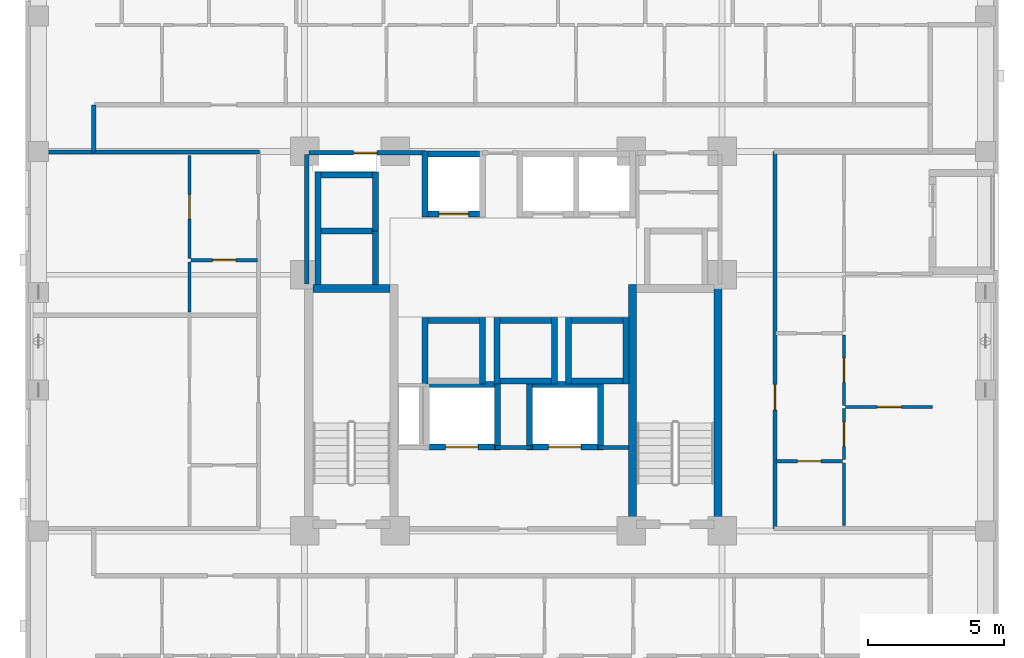
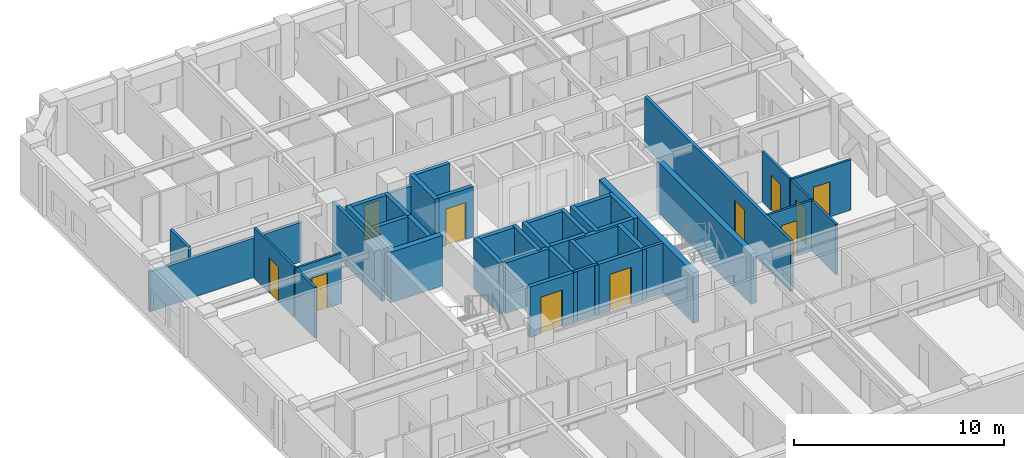
# One storey, part 5 of 13: 44 walls, 11 doors, 11 openings.
"""IFC4 building model written with IfcOpenShell, lengths in metres."""

from ifc_helpers import new_model, si_unit, derived_unit, direction, frame, frame_2d, origin, place, context, subcontext, project, spatial, rectangle, extrude, material, layer, layer_set, type_object, element, fill, save


model = new_model("IFC4")

# Units and contexts
model_context = context("Model", 3, precision=1e-05, world=origin(), true_north=direction((0.0, 1.0)))
body_context = subcontext(model_context, "Body", "Model", "MODEL_VIEW")
ifc_project = project(units=[si_unit("LENGTHUNIT", "METRE"), si_unit("AREAUNIT", "SQUARE_METRE"), si_unit("VOLUMEUNIT", "CUBIC_METRE"), si_unit("PLANEANGLEUNIT", "RADIAN"), si_unit("MASSUNIT", "GRAM", prefix="KILO"), derived_unit("THERMALTRANSMITTANCEUNIT", [(si_unit("MASSUNIT", "GRAM", prefix="KILO"), 1), (si_unit("TIMEUNIT", "SECOND"), -3), (si_unit("THERMODYNAMICTEMPERATUREUNIT", "KELVIN"), -1)])], contexts=[model_context])

# Site, building, storey
site_placement = place(None, origin())
site = spatial("IfcSite", under=ifc_project, at=site_placement, CompositionType="ELEMENT")
building_placement = place(site_placement, origin())
building = spatial("IfcBuilding", under=site, at=building_placement, Name="Korrvale Station Residences", CompositionType="ELEMENT")
storey_placement = place(building_placement, frame((0.0, 0.0, 100.699951171875)))
storey = spatial("IfcBuildingStorey", under=building, at=storey_placement, Name="L28", CompositionType="ELEMENT", Elevation=100.699951171875)

# Walls
ifc_material_1 = material(Name="Concrete C60/75", Category="concrete")
ifc_layer_1 = layer(ifc_material_1, 0.300048828125, Name="Concrete C60/75")
ifc_layer_set_1 = layer_set([ifc_layer_1], Name="Concrete C60/75")
wall_type_1 = type_object("IfcWallType", Name="WAL-CORE-300-C60", PredefinedType="SHEAR", material=ifc_layer_set_1)
wall_1_placement = place(storey_placement, frame((18.10009765625, 23.949951171875, 0.0), z_axis=(0.0, 0.0, 1.0), x_axis=(1.0, 0.0, 0.0)))
element("IfcWall", 1, at=wall_1_placement, inside=storey, type_object=wall_type_1, Name="L28 ST-1 Core Shear Wall North", PredefinedType="SHEAR", context=body_context, shape_type="SweptSolid", body=[
    extrude(rectangle(XDim=2.849853515625, YDim=0.300048828125, at=frame_2d((1.4248046875, 0.0))), origin(), (0.0, 0.0, 1.0), 2.93994140625),
])
for number, where, z_axis, x_axis, name in (
    (2, (29.89990234375, 15.10009765625, 0.0), (0.0, 0.0, 1.0), (0.0, 1.0, 0.0), "L28 ST-2 Core Shear Wall West"),
    (3, (33.050048828125, 15.10009765625, 0.0), (0.0, 0.0, 1.0), (0.0, 1.0, 0.0), "L28 ST-2 Core Shear Wall East"),
):
    element("IfcWall", number, at=place(storey_placement, frame(where, z_axis=z_axis, x_axis=x_axis)), inside=storey, type_object=wall_type_1, Name=name, PredefinedType="SHEAR", context=body_context, shape_type="SweptSolid", body=[
        extrude(rectangle(XDim=9.0, YDim=0.300048828125, at=frame_2d((4.5, 0.0))), origin(), (0.0, 0.0, 1.0), 2.93994140625),
    ])

# Wall, opening, door
ifc_material_2 = material(Name="Acoustic steel-stud gypsum board partition", Category="steel")
ifc_layer_2 = layer(ifc_material_2, 0.1201171875, Name="Acoustic steel-stud gypsum board partition")
ifc_layer_set_2 = layer_set([ifc_layer_2], Name="Acoustic steel-stud gypsum board partition")
wall_type_2 = type_object("IfcWallType", Name="WAL-PART-125", PredefinedType="PARTITIONING", material=ifc_layer_set_2)
wall_2_placement = place(storey_placement, frame((13.610107421875, 24.991943359375, 0.0), z_axis=(0.0, 0.0, 1.0), x_axis=(1.0, 0.0, 0.0)))
wall_2 = element("IfcWall", 4, at=wall_2_placement, inside=storey, type_object=wall_type_2, Name="L28 Suite Partition U04-H01", PredefinedType="PARTITIONING", context=body_context, shape_type="SweptSolid", body=[
    extrude(rectangle(XDim=2.449951171875, YDim=0.1201171875, at=frame_2d((1.22509765625, 0.0))), origin(), (0.0, 0.0, 1.0), 2.93994140625),
])
opening_1_placement = place(wall_2_placement, frame((0.794921875, 0.0, 0.0)))
opening_1 = element("IfcOpeningElement", 5, at=opening_1_placement, cuts=wall_2, Name="Opening DB-860", PredefinedType="OPENING", context=body_context, shape_type="SweptSolid", body=[
    extrude(rectangle(XDim=0.860107421875, YDim=2.050048828125, at=frame_2d((0.43017578125, 1.02490234375))), frame((0.0, 0.070068359375, 0.0), z_axis=(0.0, -1.0, 0.0), x_axis=(1.0, 0.0, 0.0)), (0.0, 0.0, 1.0), 0.14013671875),
])
ifc_material_3 = material(Name="Moisture-resistant solid-core bathroom door", Category="timber")
door_type_1 = type_object("IfcDoorType", Name="DR-BATH-860", OperationType="NOTDEFINED", PredefinedType="DOOR", material=ifc_material_3)
door_1_placement = place(opening_1_placement, origin())
door_1 = element("IfcDoor", 6, at=door_1_placement, inside=storey, type_object=door_type_1, Name="L28 Apartment 1BR L28-U04 Bathroom Door", OperationType="SINGLE_SWING_LEFT", OverallHeight=2.050048828125, OverallWidth=0.860107421875, PredefinedType="DOOR", context=body_context, shape_type="SweptSolid", body=[
    extrude(rectangle(XDim=0.860107421875, YDim=2.050048828125, at=frame_2d((0.43017578125, 1.02490234375))), frame((0.0, 0.02490234375, 0.0), z_axis=(0.0, -1.0, 0.0), x_axis=(1.0, 0.0, 0.0)), (0.0, 0.0, 1.0), 0.050048828125),
])
fill(opening_1, door_1)

# Wall
wall_3_placement = place(storey_placement, frame((13.550048828125, 23.08203125, 0.0), z_axis=(0.0, 0.0, 1.0), x_axis=(0.0, 1.0, 0.0)))
element("IfcWall", 7, at=wall_3_placement, inside=storey, type_object=wall_type_2, Name="L28 Suite Partition U04-V02", PredefinedType="PARTITIONING", context=body_context, shape_type="SweptSolid", body=[
    extrude(rectangle(XDim=1.849853515625, YDim=0.1201171875, at=frame_2d((0.9248046875, 0.0))), origin(), (0.0, 0.0, 1.0), 2.93994140625),
])

# Wall, opening, door
wall_4_placement = place(storey_placement, frame((13.550048828125, 25.052001953125, 0.0), z_axis=(0.0, 0.0, 1.0), x_axis=(0.0, 1.0, 0.0)))
wall_4 = element("IfcWall", 8, at=wall_4_placement, inside=storey, type_object=wall_type_2, Name="L28 Suite Partition U04-V12", PredefinedType="PARTITIONING", context=body_context, shape_type="SweptSolid", body=[
    extrude(rectangle(XDim=3.80810546875, YDim=0.1201171875, at=frame_2d((1.904052734375, 0.0))), origin(), (0.0, 0.0, 1.0), 2.93994140625),
])
opening_2_placement = place(wall_4_placement, frame((1.4541015625, 0.0, 0.0)))
opening_2 = element("IfcOpeningElement", 9, at=opening_2_placement, cuts=wall_4, Name="Opening DI-900", PredefinedType="OPENING", context=body_context, shape_type="SweptSolid", body=[
    extrude(rectangle(XDim=0.89990234375, YDim=2.050048828125, at=frame_2d((0.449951171875, 1.02490234375))), frame((0.0, 0.070068359375, 0.0), z_axis=(0.0, -1.0, 0.0), x_axis=(1.0, 0.0, 0.0)), (0.0, 0.0, 1.0), 0.14013671875),
])
ifc_material_4 = material(Name="Painted solid-core timber interior room door", Category="wood")
door_type_2 = type_object("IfcDoorType", Name="DR-INT-900", OperationType="NOTDEFINED", PredefinedType="DOOR", material=ifc_material_4)
door_2_placement = place(opening_2_placement, origin())
door_2 = element("IfcDoor", 10, at=door_2_placement, inside=storey, type_object=door_type_2, Name="L28 Apartment 1BR L28-U04 Kitchen Door", OperationType="SINGLE_SWING_RIGHT", OverallHeight=2.050048828125, OverallWidth=0.89990234375, PredefinedType="DOOR", context=body_context, shape_type="SweptSolid", body=[
    extrude(rectangle(XDim=0.89990234375, YDim=2.050048828125, at=frame_2d((0.449951171875, 1.02490234375))), frame((0.0, 0.02490234375, 0.0), z_axis=(0.0, -1.0, 0.0), x_axis=(1.0, 0.0, 0.0)), (0.0, 0.0, 1.0), 0.050048828125),
])
fill(opening_2, door_2)

wall_5_placement = place(storey_placement, frame((35.18994140625, 17.570068359375, 0.0), z_axis=(0.0, 0.0, 1.0), x_axis=(1.0, 0.0, 0.0)))
wall_5 = element("IfcWall", 11, at=wall_5_placement, inside=storey, type_object=wall_type_2, Name="L28 Suite Partition U05-H12", PredefinedType="PARTITIONING", context=body_context, shape_type="SweptSolid", body=[
    extrude(rectangle(XDim=2.449951171875, YDim=0.1201171875, at=frame_2d((1.22509765625, 0.0))), origin(), (0.0, 0.0, 1.0), 2.93994140625),
])
opening_3_placement = place(wall_5_placement, frame((0.794921875, 0.0, 0.0)))
opening_3 = element("IfcOpeningElement", 12, at=opening_3_placement, cuts=wall_5, Name="Opening DB-860", PredefinedType="OPENING", context=body_context, shape_type="SweptSolid", body=[
    extrude(rectangle(XDim=0.860107421875, YDim=2.050048828125, at=frame_2d((0.43017578125, 1.02490234375))), frame((0.0, 0.070068359375, 0.0), z_axis=(0.0, -1.0, 0.0), x_axis=(1.0, 0.0, 0.0)), (0.0, 0.0, 1.0), 0.14013671875),
])
door_3_placement = place(opening_3_placement, origin())
door_3 = element("IfcDoor", 13, at=door_3_placement, inside=storey, type_object=door_type_1, Name="L28 Apartment 2BR L28-U05 Bathroom Door", OperationType="SINGLE_SWING_RIGHT", OverallHeight=2.050048828125, OverallWidth=0.860107421875, PredefinedType="DOOR", context=body_context, shape_type="SweptSolid", body=[
    extrude(rectangle(XDim=0.860107421875, YDim=2.050048828125, at=frame_2d((0.43017578125, 1.02490234375))), frame((0.0, 0.02490234375, 0.0), z_axis=(0.0, -1.0, 0.0), x_axis=(1.0, 0.0, 0.0)), (0.0, 0.0, 1.0), 0.050048828125),
])
fill(opening_3, door_3)

# Wall
wall_6_placement = place(storey_placement, frame((37.699951171875, 15.2099609375, 0.0), z_axis=(0.0, 0.0, 1.0), x_axis=(0.0, 1.0, 0.0)))
element("IfcWall", 14, at=wall_6_placement, inside=storey, type_object=wall_type_2, Name="L28 Suite Partition U05-V13", PredefinedType="PARTITIONING", context=body_context, shape_type="SweptSolid", body=[
    extrude(rectangle(XDim=2.300048828125, YDim=0.1201171875, at=frame_2d((1.14990234375, 0.0))), origin(), (0.0, 0.0, 1.0), 2.93994140625),
])

# Wall, opening, door
wall_7_placement = place(storey_placement, frame((37.699951171875, 17.6298828125, 0.0), z_axis=(0.0, 0.0, 1.0), x_axis=(0.0, 1.0, 0.0)))
wall_7 = element("IfcWall", 15, at=wall_7_placement, inside=storey, type_object=wall_type_2, Name="L28 Suite Partition U05-V23", PredefinedType="PARTITIONING", context=body_context, shape_type="SweptSolid", body=[
    extrude(rectangle(XDim=1.88818359375, YDim=0.1201171875, at=frame_2d((0.944091796875, 0.0))), origin(), (0.0, 0.0, 1.0), 2.93994140625),
])
opening_4_placement = place(wall_7_placement, frame((0.493896484375, 0.0, 0.0)))
opening_4 = element("IfcOpeningElement", 16, at=opening_4_placement, cuts=wall_7, Name="Opening DI-900", PredefinedType="OPENING", context=body_context, shape_type="SweptSolid", body=[
    extrude(rectangle(XDim=0.89990234375, YDim=2.050048828125, at=frame_2d((0.449951171875, 1.02490234375))), frame((0.0, 0.070068359375, 0.0), z_axis=(0.0, -1.0, 0.0), x_axis=(1.0, 0.0, 0.0)), (0.0, 0.0, 1.0), 0.14013671875),
])
door_4_placement = place(opening_4_placement, origin())
door_4 = element("IfcDoor", 17, at=door_4_placement, inside=storey, type_object=door_type_2, Name="L28 Apartment 2BR L28-U05 Kitchen Door", OperationType="SINGLE_SWING_LEFT", OverallHeight=2.050048828125, OverallWidth=0.89990234375, PredefinedType="DOOR", context=body_context, shape_type="SweptSolid", body=[
    extrude(rectangle(XDim=0.89990234375, YDim=2.050048828125, at=frame_2d((0.449951171875, 1.02490234375))), frame((0.0, 0.02490234375, 0.0), z_axis=(0.0, -1.0, 0.0), x_axis=(1.0, 0.0, 0.0)), (0.0, 0.0, 1.0), 0.050048828125),
])
fill(opening_4, door_4)

wall_8_placement = place(storey_placement, frame((37.699951171875, 19.637939453125, 0.0), z_axis=(0.0, 0.0, 1.0), x_axis=(0.0, 1.0, 0.0)))
wall_8 = element("IfcWall", 18, at=wall_8_placement, inside=storey, type_object=wall_type_2, Name="L28 Suite Partition U05-V24", PredefinedType="PARTITIONING", context=body_context, shape_type="SweptSolid", body=[
    extrude(rectangle(XDim=2.592041015625, YDim=0.1201171875, at=frame_2d((1.2958984375, 0.0))), origin(), (0.0, 0.0, 1.0), 2.93994140625),
])
opening_5_placement = place(wall_8_placement, frame((0.845947265625, 0.0, 0.0)))
opening_5 = element("IfcOpeningElement", 19, at=opening_5_placement, cuts=wall_8, Name="Opening DI-900", PredefinedType="OPENING", context=body_context, shape_type="SweptSolid", body=[
    extrude(rectangle(XDim=0.89990234375, YDim=2.050048828125, at=frame_2d((0.449951171875, 1.02490234375))), frame((0.0, 0.070068359375, 0.0), z_axis=(0.0, -1.0, 0.0), x_axis=(1.0, 0.0, 0.0)), (0.0, 0.0, 1.0), 0.14013671875),
])
door_5_placement = place(opening_5_placement, origin())
door_5 = element("IfcDoor", 20, at=door_5_placement, inside=storey, type_object=door_type_2, Name="L28 Apartment 2BR L28-U05 Kitchen Door", OperationType="SINGLE_SWING_RIGHT", OverallHeight=2.050048828125, OverallWidth=0.89990234375, PredefinedType="DOOR", context=body_context, shape_type="SweptSolid", body=[
    extrude(rectangle(XDim=0.89990234375, YDim=2.050048828125, at=frame_2d((0.449951171875, 1.02490234375))), frame((0.0, 0.02490234375, 0.0), z_axis=(0.0, -1.0, 0.0), x_axis=(1.0, 0.0, 0.0)), (0.0, 0.0, 1.0), 0.050048828125),
])
fill(opening_5, door_5)

wall_9_placement = place(storey_placement, frame((37.760009765625, 19.577880859375, 0.0), z_axis=(0.0, 0.0, 1.0), x_axis=(1.0, 0.0, 0.0)))
wall_9 = element("IfcWall", 21, at=wall_9_placement, inside=storey, type_object=wall_type_2, Name="L28 Suite Partition U05-H34", PredefinedType="PARTITIONING", context=body_context, shape_type="SweptSolid", body=[
    extrude(rectangle(XDim=3.2099609375, YDim=0.1201171875, at=frame_2d((1.60498046875, 0.0))), origin(), (0.0, 0.0, 1.0), 2.93994140625),
])
opening_6_placement = place(wall_9_placement, frame((1.155029296875, 0.0, 0.0)))
opening_6 = element("IfcOpeningElement", 22, at=opening_6_placement, cuts=wall_9, Name="Opening DI-900", PredefinedType="OPENING", context=body_context, shape_type="SweptSolid", body=[
    extrude(rectangle(XDim=0.89990234375, YDim=2.050048828125, at=frame_2d((0.449951171875, 1.02490234375))), frame((0.0, 0.070068359375, 0.0), z_axis=(0.0, -1.0, 0.0), x_axis=(1.0, 0.0, 0.0)), (0.0, 0.0, 1.0), 0.14013671875),
])
door_6_placement = place(opening_6_placement, origin())
door_6 = element("IfcDoor", 23, at=door_6_placement, inside=storey, type_object=door_type_2, Name="L28 Apartment 2BR L28-U05 Bedroom 1 Door", OperationType="SINGLE_SWING_LEFT", OverallHeight=2.050048828125, OverallWidth=0.89990234375, PredefinedType="DOOR", context=body_context, shape_type="SweptSolid", body=[
    extrude(rectangle(XDim=0.89990234375, YDim=2.050048828125, at=frame_2d((0.449951171875, 1.02490234375))), frame((0.0, 0.02490234375, 0.0), z_axis=(0.0, -1.0, 0.0), x_axis=(1.0, 0.0, 0.0)), (0.0, 0.0, 1.0), 0.050048828125),
])
fill(opening_6, door_6)

# Walls
ifc_material_5 = material(Name="Fire-rated twin-stud gypsum and mineral wool shaftwall assembly", Category="gypsum")
ifc_layer_3 = layer(ifc_material_5, 0.159912109375, Name="Fire-rated twin-stud gypsum and mineral wool shaftwall assembly")
ifc_layer_set_3 = layer_set([ifc_layer_3], Name="Fire-rated twin-stud gypsum and mineral wool shaftwall assembly")
wall_type_3 = type_object("IfcWallType", Name="WAL-PART-200", PredefinedType="PARTITIONING", material=ifc_layer_set_3)
wall_10_placement = place(storey_placement, frame((24.85009765625, 18.080078125, 0.0), z_axis=(0.0, 0.0, 1.0), x_axis=(1.0, 0.0, 0.0)))
element("IfcWall", 24, at=wall_10_placement, inside=storey, type_object=wall_type_3, Name="L28 Core Partition CW-FFL-N2", PredefinedType="PARTITIONING", context=body_context, shape_type="SweptSolid", body=[
    extrude(rectangle(XDim=1.2998046875, YDim=0.159912109375, at=frame_2d((0.64990234375, 0.0))), origin(), (0.0, 0.0, 1.0), 2.93994140625),
])
wall_11_placement = place(storey_placement, frame((28.64990234375, 18.080078125, 0.0), z_axis=(0.0, 0.0, 1.0), x_axis=(1.0, 0.0, 0.0)))
element("IfcWall", 25, at=wall_11_placement, inside=storey, type_object=wall_type_3, Name="L28 Core Partition CW-FFL-N3", PredefinedType="PARTITIONING", context=body_context, shape_type="SweptSolid", body=[
    extrude(rectangle(XDim=1.10009765625, YDim=0.159912109375, at=frame_2d((0.550048828125, 0.0))), origin(), (0.0, 0.0, 1.0), 2.93994140625),
])
wall_12_placement = place(storey_placement, frame((17.8798828125, 24.1201171875, 0.0), z_axis=(0.0, 0.0, 1.0), x_axis=(0.0, 1.0, 0.0)))
element("IfcWall", 26, at=wall_12_placement, inside=storey, type_object=wall_type_3, Name="L28 Core Partition CW-W-N", PredefinedType="PARTITIONING", context=body_context, shape_type="SweptSolid", body=[
    extrude(rectangle(XDim=4.759765625, YDim=0.159912109375, at=frame_2d((2.3798828125, 0.0))), origin(), (0.0, 0.0, 1.0), 2.93994140625),
])

# Wall, opening, door
wall_13_placement = place(storey_placement, frame((17.9599609375, 28.949951171875, 0.0), z_axis=(0.0, 0.0, 1.0), x_axis=(1.0, 0.0, 0.0)))
wall_13 = element("IfcWall", 27, at=wall_13_placement, inside=storey, type_object=wall_type_3, Name="L28 Core Partition CW-NW", PredefinedType="PARTITIONING", context=body_context, shape_type="SweptSolid", body=[
    extrude(rectangle(XDim=4.2900390625, YDim=0.159912109375, at=frame_2d((2.14501953125, 0.0))), origin(), (0.0, 0.0, 1.0), 2.31298828125),
])
opening_7_placement = place(wall_13_placement, frame((1.64501953125, 0.0, 0.0)))
opening_7 = element("IfcOpeningElement", 28, at=opening_7_placement, cuts=wall_13, Name="Opening DB-860", PredefinedType="OPENING", context=body_context, shape_type="SweptSolid", body=[
    extrude(rectangle(XDim=0.860107421875, YDim=2.050048828125, at=frame_2d((0.43017578125, 1.02490234375))), frame((0.0, 0.08984375, 0.0), z_axis=(0.0, -1.0, 0.0), x_axis=(1.0, 0.0, 0.0)), (0.0, 0.0, 1.0), 0.179931640625),
])
door_7_placement = place(opening_7_placement, origin())
door_7 = element("IfcDoor", 29, at=door_7_placement, inside=storey, type_object=door_type_1, Name="L28 Electrical Riser Access Door", OperationType="SINGLE_SWING_LEFT", OverallHeight=2.050048828125, OverallWidth=0.860107421875, PredefinedType="DOOR", context=body_context, shape_type="SweptSolid", body=[
    extrude(rectangle(XDim=0.860107421875, YDim=2.050048828125, at=frame_2d((0.43017578125, 1.02490234375))), frame((0.0, 0.02490234375, 0.0), z_axis=(0.0, -1.0, 0.0), x_axis=(1.0, 0.0, 0.0)), (0.0, 0.0, 1.0), 0.050048828125),
])
fill(opening_7, door_7)

# Walls
wall_14_placement = place(storey_placement, frame((10.02001953125, 28.97998046875, 0.0), z_axis=(0.0, 0.0, 1.0), x_axis=(0.0, 1.0, 0.0)))
element("IfcWall", 30, at=wall_14_placement, inside=storey, type_object=wall_type_3, Name="L28 Corridor North West Cap", PredefinedType="PARTITIONING", context=body_context, shape_type="SweptSolid", body=[
    extrude(rectangle(XDim=1.739990234375, YDim=0.159912109375, at=frame_2d((0.8701171875, 0.0))), origin(), (0.0, 0.0, 1.0), 2.93994140625),
])
wall_15_placement = place(storey_placement, frame((7.780029296875, 28.97998046875, 0.0), z_axis=(0.0, 0.0, 1.0), x_axis=(1.0, 0.0, 0.0)))
element("IfcWall", 31, at=wall_15_placement, inside=storey, type_object=wall_type_3, Name="L28 West Wing North Corridor Wall", PredefinedType="PARTITIONING", context=body_context, shape_type="SweptSolid", body=[
    extrude(rectangle(XDim=8.35986328125, YDim=0.159912109375, at=frame_2d((4.179931640625, 0.0))), origin(), (0.0, 0.0, 1.0), 2.31298828125),
])

# Wall, opening, door
wall_16_placement = place(storey_placement, frame((35.14990234375, 15.070068359375, 0.0), z_axis=(0.0, 0.0, 1.0), x_axis=(0.0, 1.0, 0.0)))
wall_16 = element("IfcWall", 32, at=wall_16_placement, inside=storey, type_object=wall_type_3, Name="L28 Rated Corridor Wall E", PredefinedType="PARTITIONING", context=body_context, shape_type="SweptSolid", body=[
    extrude(rectangle(XDim=13.929931640625, YDim=0.159912109375, at=frame_2d((6.96484375, 0.0))), origin(), (0.0, 0.0, 1.0), 2.93994140625),
])
opening_8_placement = place(wall_16_placement, frame((4.385009765625, 0.0, 0.0)))
opening_8 = element("IfcOpeningElement", 33, at=opening_8_placement, cuts=wall_16, Name="Opening UD-950", PredefinedType="OPENING", context=body_context, shape_type="SweptSolid", body=[
    extrude(rectangle(XDim=0.949951171875, YDim=2.10009765625, at=frame_2d((0.47509765625, 1.050048828125))), frame((0.0, 0.08984375, 0.0), z_axis=(0.0, -1.0, 0.0), x_axis=(1.0, 0.0, 0.0)), (0.0, 0.0, 1.0), 0.179931640625),
])
ifc_material_6 = material(Name="Solid-core acoustic oak apartment entrance door", Category="timber")
door_type_3 = type_object("IfcDoorType", Name="DR-UNIT-950", OperationType="NOTDEFINED", PredefinedType="DOOR", material=ifc_material_6)
door_8_placement = place(opening_8_placement, origin())
door_8 = element("IfcDoor", 34, at=door_8_placement, inside=storey, type_object=door_type_3, Name="L28 Apartment L28-U05 Entrance Door", OperationType="SINGLE_SWING_LEFT", OverallHeight=2.10009765625, OverallWidth=0.949951171875, PredefinedType="DOOR", context=body_context, shape_type="SweptSolid", body=[
    extrude(rectangle(XDim=0.949951171875, YDim=2.10009765625, at=frame_2d((0.47509765625, 1.050048828125))), frame((0.0, 0.02490234375, 0.0), z_axis=(0.0, -1.0, 0.0), x_axis=(1.0, 0.0, 0.0)), (0.0, 0.0, 1.0), 0.050048828125),
])
fill(opening_8, door_8)

ifc_layer_4 = layer(ifc_material_1, 0.219970703125, Name="Concrete C60/75")
ifc_layer_set_4 = layer_set([ifc_layer_4], Name="Concrete C60/75")
wall_type_4 = type_object("IfcWallType", Name="WAL-SHAFT-220-C60", PredefinedType="SHEAR", material=ifc_layer_set_4)
wall_17_placement = place(storey_placement, frame((22.35009765625, 26.68994140625, 0.0), z_axis=(0.0, 0.0, 1.0), x_axis=(1.0, 0.0, 0.0)))
wall_17 = element("IfcWall", 35, at=wall_17_placement, inside=storey, type_object=wall_type_4, Name="L28 Elevator PL-1 Hoistway Wall South", PredefinedType="SHEAR", context=body_context, shape_type="SweptSolid", body=[
    extrude(rectangle(XDim=1.89990234375, YDim=0.219970703125, at=frame_2d((0.949951171875, 0.0))), origin(), (0.0, 0.0, 1.0), 2.93994140625),
])
opening_9_placement = place(wall_17_placement, frame((0.39990234375, 0.0, 0.0)))
opening_9 = element("IfcOpeningElement", 36, at=opening_9_placement, cuts=wall_17, Name="Opening LD-1100", PredefinedType="OPENING", context=body_context, shape_type="SweptSolid", body=[
    extrude(rectangle(XDim=1.10009765625, YDim=2.14990234375, at=frame_2d((0.550048828125, 1.074951171875))), frame((0.0, 0.1201171875, 0.0), z_axis=(0.0, -1.0, 0.0), x_axis=(1.0, 0.0, 0.0)), (0.0, 0.0, 1.0), 0.239990234375),
])
ifc_material_7 = material(Name="Brushed stainless-steel elevator landing sliding door", Category="steel")
door_type_4 = type_object("IfcDoorType", Name="DR-LIFT-1100", OperationType="SLIDING_TO_LEFT", PredefinedType="DOOR", material=ifc_material_7)
door_9_placement = place(opening_9_placement, origin())
door_9 = element("IfcDoor", 37, at=door_9_placement, inside=storey, type_object=door_type_4, Name="L28 Elevator PL-1 Sliding Landing Door", OperationType="SLIDING_TO_LEFT", OverallHeight=2.14990234375, OverallWidth=1.10009765625, PredefinedType="DOOR", context=body_context, shape_type="SweptSolid", body=[
    extrude(rectangle(XDim=1.10009765625, YDim=2.14990234375, at=frame_2d((0.550048828125, 1.074951171875))), frame((0.0, 0.02490234375, 0.0), z_axis=(0.0, -1.0, 0.0), x_axis=(1.0, 0.0, 0.0)), (0.0, 0.0, 1.0), 0.050048828125),
])
fill(opening_9, door_9)

# Walls
wall_18_placement = place(storey_placement, frame((22.35009765625, 28.909912109375, 0.0), z_axis=(0.0, 0.0, 1.0), x_axis=(1.0, 0.0, 0.0)))
element("IfcWall", 38, at=wall_18_placement, inside=storey, type_object=wall_type_4, Name="L28 Elevator PL-1 Hoistway Wall North", PredefinedType="SHEAR", context=body_context, shape_type="SweptSolid", body=[
    extrude(rectangle(XDim=1.89990234375, YDim=0.219970703125, at=frame_2d((0.949951171875, 0.0))), origin(), (0.0, 0.0, 1.0), 2.93994140625),
])
wall_19_placement = place(storey_placement, frame((22.239990234375, 26.580078125, 0.0), z_axis=(0.0, 0.0, 1.0), x_axis=(0.0, 1.0, 0.0)))
element("IfcWall", 39, at=wall_19_placement, inside=storey, type_object=wall_type_4, Name="L28 Elevator PL-1 Hoistway Wall West", PredefinedType="SHEAR", context=body_context, shape_type="SweptSolid", body=[
    extrude(rectangle(XDim=2.43994140625, YDim=0.219970703125, at=frame_2d((1.219970703125, 0.0))), origin(), (0.0, 0.0, 1.0), 2.93994140625),
])
wall_20_placement = place(storey_placement, frame((22.35009765625, 22.760009765625, 0.0), z_axis=(0.0, 0.0, 1.0), x_axis=(1.0, 0.0, 0.0)))
element("IfcWall", 40, at=wall_20_placement, inside=storey, type_object=wall_type_4, Name="L28 Elevator PM-1 Hoistway Wall North", PredefinedType="SHEAR", context=body_context, shape_type="SweptSolid", body=[
    extrude(rectangle(XDim=1.89990234375, YDim=0.219970703125, at=frame_2d((0.949951171875, 0.0))), origin(), (0.0, 0.0, 1.0), 2.93994140625),
])
for number, where, z_axis, x_axis, name in (
    (41, (22.239990234375, 20.429931640625, 0.0), (0.0, 0.0, 1.0), (0.0, 1.0, 0.0), "L28 Elevator PM-1 Hoistway Wall West"),
    (42, (24.360107421875, 20.429931640625, 0.0), (0.0, 0.0, 1.0), (0.0, 1.0, 0.0), "L28 Elevator PM-1 Hoistway Wall East"),
):
    element("IfcWall", number, at=place(storey_placement, frame(where, z_axis=z_axis, x_axis=x_axis)), inside=storey, type_object=wall_type_4, Name=name, PredefinedType="SHEAR", context=body_context, shape_type="SweptSolid", body=[
        extrude(rectangle(XDim=2.440185546875, YDim=0.219970703125, at=frame_2d((1.22021484375, 0.0))), origin(), (0.0, 0.0, 1.0), 2.93994140625),
    ])
for number, where, z_axis, x_axis, name in (
    (43, (25.0, 20.5400390625, 0.0), (0.0, 0.0, 1.0), (1.0, 0.0, 0.0), "L28 Elevator PM-2 Hoistway Wall South"),
    (44, (25.0, 22.760009765625, 0.0), (0.0, 0.0, 1.0), (1.0, 0.0, 0.0), "L28 Elevator PM-2 Hoistway Wall North"),
):
    element("IfcWall", number, at=place(storey_placement, frame(where, z_axis=z_axis, x_axis=x_axis)), inside=storey, type_object=wall_type_4, Name=name, PredefinedType="SHEAR", context=body_context, shape_type="SweptSolid", body=[
        extrude(rectangle(XDim=1.89990234375, YDim=0.219970703125, at=frame_2d((0.949951171875, 0.0))), origin(), (0.0, 0.0, 1.0), 2.93994140625),
    ])
for number, where, z_axis, x_axis, name in (
    (45, (24.889892578125, 20.429931640625, 0.0), (0.0, 0.0, 1.0), (0.0, 1.0, 0.0), "L28 Elevator PM-2 Hoistway Wall West"),
    (46, (27.010009765625, 20.429931640625, 0.0), (0.0, 0.0, 1.0), (0.0, 1.0, 0.0), "L28 Elevator PM-2 Hoistway Wall East"),
):
    element("IfcWall", number, at=place(storey_placement, frame(where, z_axis=z_axis, x_axis=x_axis)), inside=storey, type_object=wall_type_4, Name=name, PredefinedType="SHEAR", context=body_context, shape_type="SweptSolid", body=[
        extrude(rectangle(XDim=2.440185546875, YDim=0.219970703125, at=frame_2d((1.22021484375, 0.0))), origin(), (0.0, 0.0, 1.0), 2.93994140625),
    ])
for number, where, z_axis, x_axis, name in (
    (47, (27.64990234375, 20.5400390625, 0.0), (0.0, 0.0, 1.0), (1.0, 0.0, 0.0), "L28 Elevator PM-3 Hoistway Wall South"),
    (48, (27.64990234375, 22.760009765625, 0.0), (0.0, 0.0, 1.0), (1.0, 0.0, 0.0), "L28 Elevator PM-3 Hoistway Wall North"),
):
    element("IfcWall", number, at=place(storey_placement, frame(where, z_axis=z_axis, x_axis=x_axis)), inside=storey, type_object=wall_type_4, Name=name, PredefinedType="SHEAR", context=body_context, shape_type="SweptSolid", body=[
        extrude(rectangle(XDim=1.900146484375, YDim=0.219970703125, at=frame_2d((0.9501953125, 0.0))), origin(), (0.0, 0.0, 1.0), 2.93994140625),
    ])
for number, where, z_axis, x_axis, name in (
    (49, (27.5400390625, 20.429931640625, 0.0), (0.0, 0.0, 1.0), (0.0, 1.0, 0.0), "L28 Elevator PM-3 Hoistway Wall West"),
    (50, (29.659912109375, 20.429931640625, 0.0), (0.0, 0.0, 1.0), (0.0, 1.0, 0.0), "L28 Elevator PM-3 Hoistway Wall East"),
):
    element("IfcWall", number, at=place(storey_placement, frame(where, z_axis=z_axis, x_axis=x_axis)), inside=storey, type_object=wall_type_4, Name=name, PredefinedType="SHEAR", context=body_context, shape_type="SweptSolid", body=[
        extrude(rectangle(XDim=2.440185546875, YDim=0.219970703125, at=frame_2d((1.22021484375, 0.0))), origin(), (0.0, 0.0, 1.0), 2.93994140625),
    ])
wall_21_placement = place(storey_placement, frame((18.2900390625, 24.10009765625, 0.0), z_axis=(0.0, 0.0, 1.0), x_axis=(0.0, 1.0, 0.0)))
element("IfcWall", 51, at=wall_21_placement, inside=storey, type_object=wall_type_4, Name="L28 Elevator PH-1 Hoistway Wall West", PredefinedType="SHEAR", context=body_context, shape_type="SweptSolid", body=[
    extrude(rectangle(XDim=4.139892578125, YDim=0.219970703125, at=frame_2d((2.06982421875, 0.0))), origin(), (0.0, 0.0, 1.0), 2.93994140625),
])
wall_22_placement = place(storey_placement, frame((20.409912109375, 24.10009765625, 0.0), z_axis=(0.0, 0.0, 1.0), x_axis=(0.0, 1.0, 0.0)))
element("IfcWall", 52, at=wall_22_placement, inside=storey, type_object=wall_type_4, Name="L28 Elevator PH-1 Hoistway Wall East", PredefinedType="SHEAR", context=body_context, shape_type="SweptSolid", body=[
    extrude(rectangle(XDim=1.9599609375, YDim=0.219970703125, at=frame_2d((0.97998046875, 0.0))), origin(), (0.0, 0.0, 1.0), 2.93994140625),
])
for number, where, z_axis, x_axis, name in (
    (53, (18.39990234375, 26.06005859375, 0.0), (0.0, 0.0, 1.0), (1.0, 0.0, 0.0), "L28 Elevator PH-2 Hoistway Wall South"),
    (54, (18.39990234375, 28.1298828125, 0.0), (0.0, 0.0, 1.0), (1.0, 0.0, 0.0), "L28 Elevator PH-2 Hoistway Wall North"),
):
    element("IfcWall", number, at=place(storey_placement, frame(where, z_axis=z_axis, x_axis=x_axis)), inside=storey, type_object=wall_type_4, Name=name, PredefinedType="SHEAR", context=body_context, shape_type="SweptSolid", body=[
        extrude(rectangle(XDim=1.900146484375, YDim=0.219970703125, at=frame_2d((0.9501953125, 0.0))), origin(), (0.0, 0.0, 1.0), 2.93994140625),
    ])
wall_23_placement = place(storey_placement, frame((20.409912109375, 26.06005859375, 0.0), z_axis=(0.0, 0.0, 1.0), x_axis=(0.0, 1.0, 0.0)))
element("IfcWall", 55, at=wall_23_placement, inside=storey, type_object=wall_type_4, Name="L28 Elevator PH-2 Hoistway Wall East", PredefinedType="SHEAR", context=body_context, shape_type="SweptSolid", body=[
    extrude(rectangle(XDim=2.179931640625, YDim=0.219970703125, at=frame_2d((1.08984375, 0.0))), origin(), (0.0, 0.0, 1.0), 2.93994140625),
])

# Wall, opening, door
wall_24_placement = place(storey_placement, frame((22.39990234375, 18.090087890625, 0.0), z_axis=(0.0, 0.0, 1.0), x_axis=(1.0, 0.0, 0.0)))
wall_24 = element("IfcWall", 56, at=wall_24_placement, inside=storey, type_object=wall_type_4, Name="L28 Elevator FFL-1 Hoistway Wall South", PredefinedType="SHEAR", context=body_context, shape_type="SweptSolid", body=[
    extrude(rectangle(XDim=2.400146484375, YDim=0.219970703125, at=frame_2d((1.2001953125, 0.0))), origin(), (0.0, 0.0, 1.0), 2.93994140625),
])
opening_10_placement = place(wall_24_placement, frame((0.60009765625, 0.0, 0.0)))
opening_10 = element("IfcOpeningElement", 57, at=opening_10_placement, cuts=wall_24, Name="Opening LD-FF1200", PredefinedType="OPENING", context=body_context, shape_type="SweptSolid", body=[
    extrude(rectangle(XDim=1.199951171875, YDim=2.14990234375, at=frame_2d((0.60009765625, 1.074951171875))), frame((0.0, 0.1201171875, 0.0), z_axis=(0.0, -1.0, 0.0), x_axis=(1.0, 0.0, 0.0)), (0.0, 0.0, 1.0), 0.239990234375),
])
ifc_material_8 = material(Name="Stainless-steel firefighter elevator landing sliding door", Category="steel")
door_type_5 = type_object("IfcDoorType", Name="DR-LIFT-FF1200", OperationType="SLIDING_TO_LEFT", PredefinedType="DOOR", material=ifc_material_8)
door_10_placement = place(opening_10_placement, origin())
door_10 = element("IfcDoor", 58, at=door_10_placement, inside=storey, type_object=door_type_5, Name="L28 Elevator FFL-1 Sliding Landing Door", OperationType="SLIDING_TO_LEFT", OverallHeight=2.14990234375, OverallWidth=1.199951171875, PredefinedType="DOOR", context=body_context, shape_type="SweptSolid", body=[
    extrude(rectangle(XDim=1.199951171875, YDim=2.14990234375, at=frame_2d((0.60009765625, 1.074951171875))), frame((0.0, 0.02490234375, 0.0), z_axis=(0.0, -1.0, 0.0), x_axis=(1.0, 0.0, 0.0)), (0.0, 0.0, 1.0), 0.050048828125),
])
fill(opening_10, door_10)

# Walls
wall_25_placement = place(storey_placement, frame((22.39990234375, 20.409912109375, 0.0), z_axis=(0.0, 0.0, 1.0), x_axis=(1.0, 0.0, 0.0)))
element("IfcWall", 59, at=wall_25_placement, inside=storey, type_object=wall_type_4, Name="L28 Elevator FFL-1 Hoistway Wall North", PredefinedType="SHEAR", context=body_context, shape_type="SweptSolid", body=[
    extrude(rectangle(XDim=2.400146484375, YDim=0.219970703125, at=frame_2d((1.2001953125, 0.0))), origin(), (0.0, 0.0, 1.0), 2.93994140625),
])
wall_26_placement = place(storey_placement, frame((24.909912109375, 17.97998046875, 0.0), z_axis=(0.0, 0.0, 1.0), x_axis=(0.0, 1.0, 0.0)))
element("IfcWall", 60, at=wall_26_placement, inside=storey, type_object=wall_type_4, Name="L28 Elevator FFL-1 Hoistway Wall East", PredefinedType="SHEAR", context=body_context, shape_type="SweptSolid", body=[
    extrude(rectangle(XDim=2.5400390625, YDim=0.219970703125, at=frame_2d((1.27001953125, 0.0))), origin(), (0.0, 0.0, 1.0), 2.93994140625),
])

# Wall, opening, door
wall_27_placement = place(storey_placement, frame((26.199951171875, 18.090087890625, 0.0), z_axis=(0.0, 0.0, 1.0), x_axis=(1.0, 0.0, 0.0)))
wall_27 = element("IfcWall", 61, at=wall_27_placement, inside=storey, type_object=wall_type_4, Name="L28 Elevator FFL-2 Hoistway Wall South", PredefinedType="SHEAR", context=body_context, shape_type="SweptSolid", body=[
    extrude(rectangle(XDim=2.400146484375, YDim=0.219970703125, at=frame_2d((1.2001953125, 0.0))), origin(), (0.0, 0.0, 1.0), 2.93994140625),
])
opening_11_placement = place(wall_27_placement, frame((0.60009765625, 0.0, 0.0)))
opening_11 = element("IfcOpeningElement", 62, at=opening_11_placement, cuts=wall_27, Name="Opening LD-FF1200", PredefinedType="OPENING", context=body_context, shape_type="SweptSolid", body=[
    extrude(rectangle(XDim=1.199951171875, YDim=2.14990234375, at=frame_2d((0.60009765625, 1.074951171875))), frame((0.0, 0.1201171875, 0.0), z_axis=(0.0, -1.0, 0.0), x_axis=(1.0, 0.0, 0.0)), (0.0, 0.0, 1.0), 0.239990234375),
])
door_11_placement = place(opening_11_placement, origin())
door_11 = element("IfcDoor", 63, at=door_11_placement, inside=storey, type_object=door_type_5, Name="L28 Elevator FFL-2 Sliding Landing Door", OperationType="SLIDING_TO_LEFT", OverallHeight=2.14990234375, OverallWidth=1.199951171875, PredefinedType="DOOR", context=body_context, shape_type="SweptSolid", body=[
    extrude(rectangle(XDim=1.199951171875, YDim=2.14990234375, at=frame_2d((0.60009765625, 1.074951171875))), frame((0.0, 0.02490234375, 0.0), z_axis=(0.0, -1.0, 0.0), x_axis=(1.0, 0.0, 0.0)), (0.0, 0.0, 1.0), 0.050048828125),
])
fill(opening_11, door_11)

# Walls
wall_28_placement = place(storey_placement, frame((26.199951171875, 20.409912109375, 0.0), z_axis=(0.0, 0.0, 1.0), x_axis=(1.0, 0.0, 0.0)))
element("IfcWall", 64, at=wall_28_placement, inside=storey, type_object=wall_type_4, Name="L28 Elevator FFL-2 Hoistway Wall North", PredefinedType="SHEAR", context=body_context, shape_type="SweptSolid", body=[
    extrude(rectangle(XDim=2.400146484375, YDim=0.219970703125, at=frame_2d((1.2001953125, 0.0))), origin(), (0.0, 0.0, 1.0), 2.93994140625),
])
for number, where, z_axis, x_axis, name in (
    (65, (26.090087890625, 17.97998046875, 0.0), (0.0, 0.0, 1.0), (0.0, 1.0, 0.0), "L28 Elevator FFL-2 Hoistway Wall West"),
    (66, (28.7099609375, 17.97998046875, 0.0), (0.0, 0.0, 1.0), (0.0, 1.0, 0.0), "L28 Elevator FFL-2 Hoistway Wall East"),
):
    element("IfcWall", number, at=place(storey_placement, frame(where, z_axis=z_axis, x_axis=x_axis)), inside=storey, type_object=wall_type_4, Name=name, PredefinedType="SHEAR", context=body_context, shape_type="SweptSolid", body=[
        extrude(rectangle(XDim=2.5400390625, YDim=0.219970703125, at=frame_2d((1.27001953125, 0.0))), origin(), (0.0, 0.0, 1.0), 2.93994140625),
    ])

save(model, "model.ifc")
